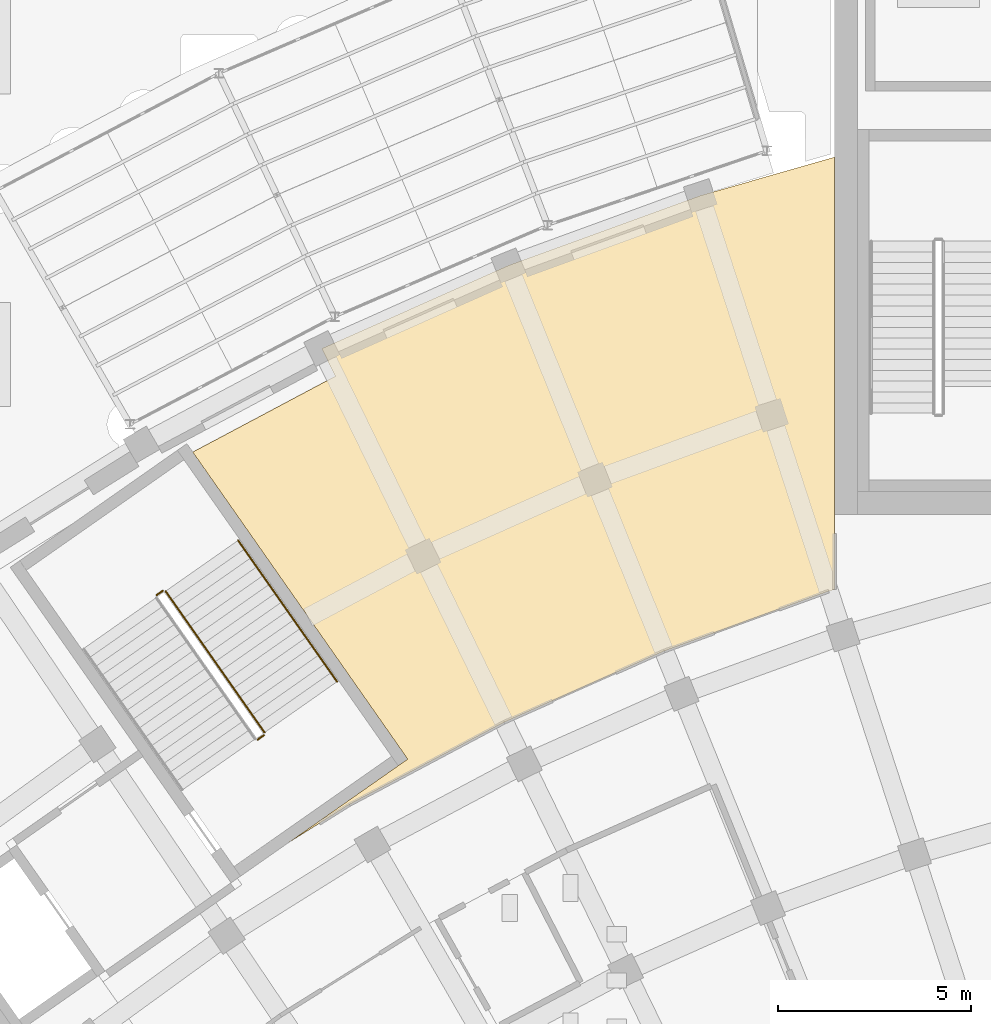
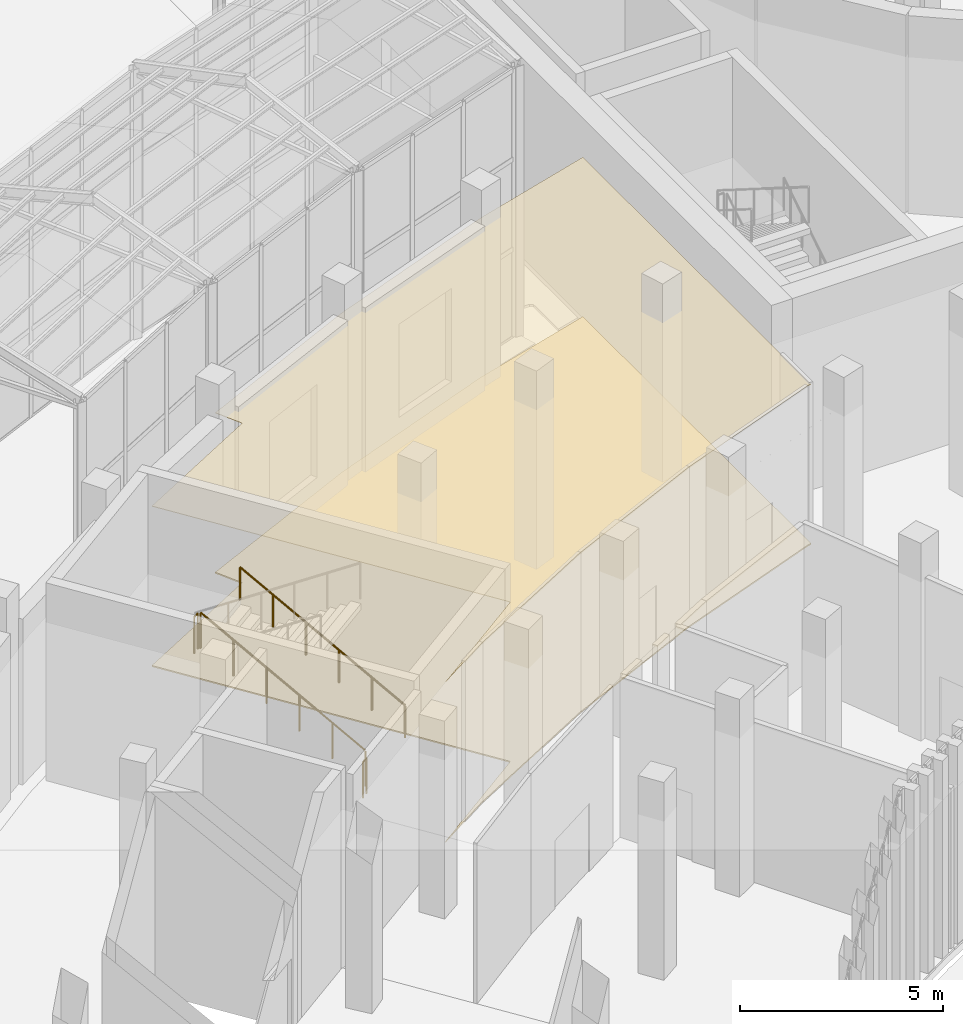
# One storey, part 120 of 155: 4 railings, 2 coverings.
"""IFC4 building model written with IfcOpenShell, lengths in metres."""

from ifc_helpers import new_model, si_unit, direction, frame, origin, origin_2d, place, context, subcontext, project, spatial, polyline, circle, outline, extrude, material, layer, layer_set, type_object, element, save


model = new_model("IFC4")

# Units and contexts
model_context = context("Model", 3, precision=1e-05, world=origin(), true_north=direction((0.0, 1.0)))
body_context = subcontext(model_context, "Body", "Model", "MODEL_VIEW")
ifc_project = project(units=[si_unit("LENGTHUNIT", "METRE"), si_unit("AREAUNIT", "SQUARE_METRE"), si_unit("VOLUMEUNIT", "CUBIC_METRE"), si_unit("PLANEANGLEUNIT", "RADIAN"), si_unit("MASSUNIT", "GRAM", prefix="KILO")], contexts=[model_context])

# Site, building, storey
site_placement = place(None, origin())
site = spatial("IfcSite", under=ifc_project, at=site_placement, CompositionType="ELEMENT")
building_placement = place(site_placement, origin())
building = spatial("IfcBuilding", under=site, at=building_placement, Name="Lunette Opera House", CompositionType="ELEMENT")
storey_placement = place(building_placement, origin())
storey = spatial("IfcBuildingStorey", under=building, at=storey_placement, Name="L00", CompositionType="ELEMENT", Elevation=0.0)

# Railings
ifc_material_1 = material(Name="Steel S355", Category="steel")
railing_type_1 = type_object("IfcRailingType", Name="STAIR GUARD 1100", PredefinedType="GUARDRAIL", material=ifc_material_1)
railing_1_placement = place(storey_placement, frame((61.195068359375, 58.3369140625, 0.176513671875)))
element("IfcRailing", 1, at=railing_1_placement, inside=storey, type_object=railing_type_1, Name="L00 ST2 stair guard 1", PredefinedType="GUARDRAIL", context=body_context, shape_type="SweptSolid", body=[
    extrude(circle(Radius=0.02392578125, at=origin_2d()), frame((0.0, 0.0, 1.076171875), z_axis=(-0.485196054089, 0.693031840086, 0.533190076543), x_axis=(-0.819190954639, -0.573520862601, 0.0)), (0.0, 0.0, 1.0), 5.29541015625),
    extrude(circle(Radius=0.02099609375, at=origin_2d()), origin(), (0.0, 0.0, 1.0), 1.052001953125),
    extrude(circle(Radius=0.02099609375, at=origin_2d()), frame((-0.513916015625, 0.73388671875, 0.564697265625)), (0.0, 0.0, 1.0), 1.052001953125),
    extrude(circle(Radius=0.02099609375, at=origin_2d()), frame((-1.02783203125, 1.468017578125, 1.12939453125)), (0.0, 0.0, 1.0), 1.052001953125),
    extrude(circle(Radius=0.02099609375, at=origin_2d()), frame((-1.54150390625, 2.201904296875, 1.694091796875)), (0.0, 0.0, 1.0), 1.052001953125),
    extrude(circle(Radius=0.02099609375, at=origin_2d()), frame((-2.055419921875, 2.93603515625, 2.2587890625)), (0.0, 0.0, 1.0), 1.052001953125),
    extrude(circle(Radius=0.02099609375, at=origin_2d()), frame((-2.5693359375, 3.669921875, 2.823486328125)), (0.0, 0.0, 1.0), 1.052001953125),
])
railing_2_placement = place(storey_placement, frame((58.55615234375, 62.019287109375, 3.0)))
element("IfcRailing", 2, at=railing_2_placement, inside=storey, type_object=railing_type_1, Name="L00 ST2 stair guard 2", PredefinedType="GUARDRAIL", context=body_context, shape_type="SweptSolid", body=[
    extrude(circle(Radius=0.02392578125, at=origin_2d()), frame((0.0, 0.0, 1.076171875), z_axis=(-0.819117714247, -0.573625461609, 0.0), x_axis=(0.573625461609, -0.819117714247, 0.0)), (0.0, 0.0, 1.0), 0.200927734375),
    extrude(circle(Radius=0.02099609375, at=origin_2d()), origin(), (0.0, 0.0, 1.0), 1.052001953125),
    extrude(circle(Radius=0.02099609375, at=origin_2d()), frame((-0.16455078125, -0.115234375, 0.0)), (0.0, 0.0, 1.0), 1.052001953125),
])
railing_3_placement = place(storey_placement, frame((61.1826171875, 58.267333984375, 0.0)))
element("IfcRailing", 3, at=railing_3_placement, inside=storey, type_object=railing_type_1, Name="L00 ST2 stair guard 4", PredefinedType="GUARDRAIL", context=body_context, shape_type="SweptSolid", body=[
    extrude(circle(Radius=0.02392578125, at=origin_2d()), frame((0.0, 0.0, 1.076171875), z_axis=(-0.819289108261, -0.573380638917, 0.0), x_axis=(0.573380638917, -0.819289108261, 0.0)), (0.0, 0.0, 1.0), 0.200439453125),
    extrude(circle(Radius=0.02099609375, at=origin_2d()), origin(), (0.0, 0.0, 1.0), 1.052001953125),
    extrude(circle(Radius=0.02099609375, at=origin_2d()), frame((-0.164306640625, -0.114990234375, 0.0)), (0.0, 0.0, 1.0), 1.052001953125),
])
ifc_material_2 = material(Name="Steel S355", Category="steel")
railing_type_2 = type_object("IfcRailingType", Name="STAIR HANDRAIL 1000", PredefinedType="HANDRAIL", material=ifc_material_2)
railing_4_placement = place(storey_placement, frame((63.0791015625, 59.656005859375, 0.176513671875)))
element("IfcRailing", 4, at=railing_4_placement, inside=storey, type_object=railing_type_2, Name="L00 ST2 stair handrail 1", PredefinedType="HANDRAIL", context=body_context, shape_type="SweptSolid", body=[
    extrude(circle(Radius=0.02392578125, at=origin_2d()), frame((0.0, 0.0, 0.97607421875), z_axis=(-0.485196054089, 0.693031840086, 0.533190076543), x_axis=(-0.819190954639, -0.573520862601, 0.0)), (0.0, 0.0, 1.0), 5.29541015625),
    extrude(circle(Radius=0.02099609375, at=origin_2d()), origin(), (0.0, 0.0, 1.0), 0.951904296875),
    extrude(circle(Radius=0.02099609375, at=origin_2d()), frame((-0.513916015625, 0.73388671875, 0.564697265625)), (0.0, 0.0, 1.0), 0.951904296875),
    extrude(circle(Radius=0.02099609375, at=origin_2d()), frame((-1.02783203125, 1.468017578125, 1.12939453125)), (0.0, 0.0, 1.0), 0.951904296875),
    extrude(circle(Radius=0.02099609375, at=origin_2d()), frame((-1.54150390625, 2.201904296875, 1.694091796875)), (0.0, 0.0, 1.0), 0.951904296875),
    extrude(circle(Radius=0.02099609375, at=origin_2d()), frame((-2.055419921875, 2.93603515625, 2.2587890625)), (0.0, 0.0, 1.0), 0.951904296875),
    extrude(circle(Radius=0.02099609375, at=origin_2d()), frame((-2.5693359375, 3.669921875, 2.823486328125)), (0.0, 0.0, 1.0), 0.951904296875),
])

# Coverings
ifc_material_3 = material(Name="Mineral fibre board")
ifc_layer_1 = layer(ifc_material_3, 0.014892578125)
ifc_layer_set_1 = layer_set([ifc_layer_1], Name="Mineral fibre board")
covering_type_1 = type_object("IfcCoveringType", Name="SUSPENDED ACOUSTIC CEILING 15", PredefinedType="CEILING", material=ifc_layer_set_1)
covering_1_placement = place(storey_placement, frame((0.0, 0.0, 4.81494140625)))
element("IfcCovering", 5, at=covering_1_placement, inside=storey, type_object=covering_type_1, Name="Ceiling Cloakroom", PredefinedType="CEILING", context=body_context, shape_type="SweptSolid", body=[
    extrude(outline(polyline([(62.68408203125, 68.30810546875), (67.530029296875, 70.466064453125), (72.514892578125, 72.280029296875), (76.0, 73.280029296875), (76.0, 64.0), (76.0, 62.051025390625), (75.85205078125, 62.009033203125), (71.575927734375, 60.451904296875), (67.41796875, 58.60107421875), (63.39990234375, 56.465087890625), (61.80810546875, 55.469970703125), (64.9140625, 57.64501953125), (59.3310546875, 65.6201171875), (63.033935546875, 67.589111328125), (62.68408203125, 68.30810546875)])), origin(), (0.0, 0.0, 1.0), 0.01513671875),
])
ifc_material_4 = material(Name="Timber", Category="wood")
ifc_layer_2 = layer(ifc_material_4, 0.0400390625)
ifc_layer_set_2 = layer_set([ifc_layer_2], Name="Timber")
covering_type_2 = type_object("IfcCoveringType", Name="TIMBER FLOOR FINISH 40", PredefinedType="FLOORING", material=ifc_layer_set_2)
covering_2_placement = place(storey_placement, origin())
element("IfcCovering", 6, at=covering_2_placement, inside=storey, type_object=covering_type_2, Name="Floor finish Cloakroom", PredefinedType="FLOORING", context=body_context, shape_type="SweptSolid", body=[
    extrude(outline(polyline([(62.68408203125, 68.30810546875), (67.530029296875, 70.466064453125), (72.514892578125, 72.280029296875), (76.0, 73.280029296875), (76.0, 64.0), (76.0, 62.051025390625), (75.85205078125, 62.009033203125), (71.575927734375, 60.451904296875), (67.41796875, 58.60107421875), (63.39990234375, 56.465087890625), (61.80810546875, 55.469970703125), (64.9140625, 57.64501953125), (59.3310546875, 65.6201171875), (63.033935546875, 67.589111328125), (62.68408203125, 68.30810546875)])), origin(), (0.0, 0.0, 1.0), 0.0400390625),
])

save(model, "model.ifc")
